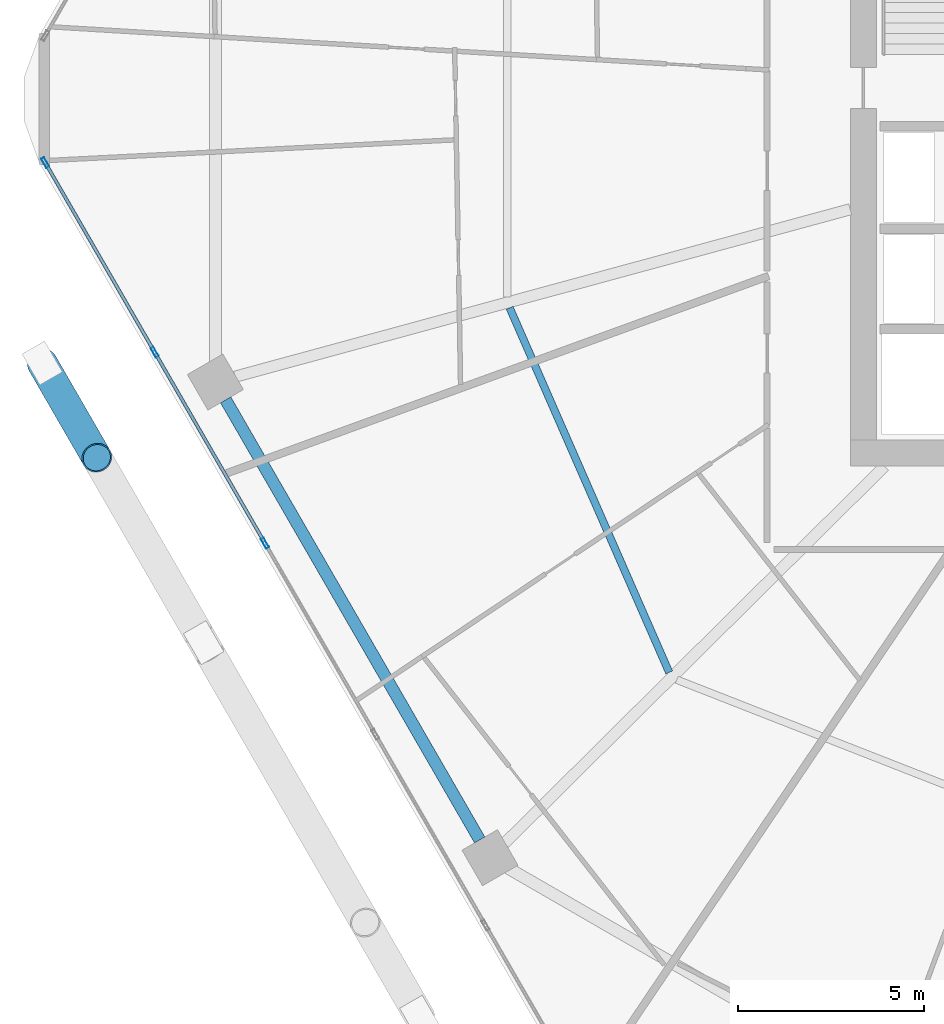
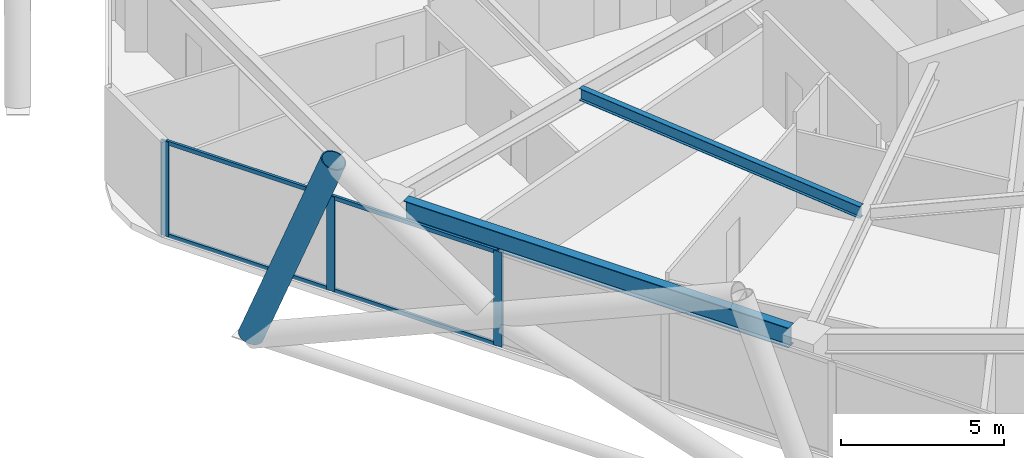
# One storey, part 6 of 35: 8 members, 2 beams, 1 element without a shape of its own.
"""IFC4 building model written with IfcOpenShell, lengths in metres."""

from ifc_helpers import new_model, si_unit, direction, frame, origin, origin_2d, place, context, subcontext, project, spatial, hollow_rectangle, hollow_circle, i_section, extrude, material, material_profile, profile_set, type_object, element, aggregate, save


model = new_model("IFC4")

# Units and contexts
model_context = context("Model", 3, precision=1e-05, world=origin(), true_north=direction((0.0, 1.0)))
body_context = subcontext(model_context, "Body", "Model", "MODEL_VIEW")
ifc_project = project(units=[si_unit("LENGTHUNIT", "METRE"), si_unit("AREAUNIT", "SQUARE_METRE"), si_unit("VOLUMEUNIT", "CUBIC_METRE"), si_unit("PLANEANGLEUNIT", "RADIAN"), si_unit("MASSUNIT", "GRAM", prefix="KILO")], contexts=[model_context])

# Site, building, storey
site_placement = place(None, origin())
site = spatial("IfcSite", under=ifc_project, at=site_placement, CompositionType="ELEMENT")
building_placement = place(site_placement, origin())
building = spatial("IfcBuilding", under=site, at=building_placement, Name="Zuhravey Tower", CompositionType="ELEMENT")
storey_placement = place(building_placement, frame((0.0, 0.0, 92.39990234375)))
storey = spatial("IfcBuildingStorey", under=building, at=storey_placement, Name="L22", CompositionType="ELEMENT", Elevation=92.39990234375)

# Curtain wall, members
ifc_material_1 = material(Name="Thermally broken anodised aluminium", Category="aluminium")
curtain_wall_type = type_object("IfcCurtainWallType", Name="Zone 1-2 Residential Curtain Wall CW3", PredefinedType="NOTDEFINED", material=ifc_material_1)
curtain_wall_placement = place(storey_placement, origin())
curtain_wall = element("IfcCurtainWall", 1, at=curtain_wall_placement, inside=storey, type_object=curtain_wall_type, Name="L22 CW3 CW-L22-F4-1", PredefinedType="NOTDEFINED")
ifc_material_2 = material(Name="Anodised aluminium", Category="aluminium")
ifc_material_profile_1 = material_profile(ifc_material_2, hollow_rectangle(XDim=0.090087890625, YDim=0.284912109375, WallThickness=0.0048828125, at=origin_2d()), Name="ALU-RHS-90x285x5")
ifc_profile_set_1 = profile_set([ifc_material_profile_1], Name="Anodised aluminium")
member_type_1 = type_object("IfcMemberType", Name="Curtain-Wall Mullion 90x180", PredefinedType="MULLION", material=ifc_profile_set_1)
member_1_placement = place(storey_placement, frame((9.44140625, 20.083984375, 0.0), z_axis=(0.0, 0.0, 1.0), x_axis=(-0.86602552265, -0.499999794119, 0.0)))
member_1 = element("IfcMember", 2, at=member_1_placement, type_object=member_type_1, Name="CW3 mullion 4", PredefinedType="MULLION", context=body_context, shape_type="SweptSolid", body=[
    extrude(hollow_rectangle(XDim=0.090087890625, YDim=0.284912109375, WallThickness=0.0048828125, at=origin_2d()), origin(), (0.0, 0.0, 1.0), 3.550048828125),
])
member_2_placement = place(storey_placement, frame((6.4814453125, 25.210693359375, 0.0), z_axis=(0.0, 0.0, 1.0), x_axis=(-0.86602552265, -0.499999794119, 0.0)))
member_2 = element("IfcMember", 3, at=member_2_placement, type_object=member_type_1, Name="CW3 mullion 5", PredefinedType="MULLION", context=body_context, shape_type="SweptSolid", body=[
    extrude(hollow_rectangle(XDim=0.090087890625, YDim=0.284912109375, WallThickness=0.0048828125, at=origin_2d()), origin(), (0.0, 0.0, 1.0), 3.550048828125),
])
member_3_placement = place(storey_placement, frame((3.5439453125, 30.298583984375, 0.0), z_axis=(0.0, 0.0, 1.0), x_axis=(-0.86602552265, -0.499999794119, 0.0)))
member_3 = element("IfcMember", 4, at=member_3_placement, type_object=member_type_1, Name="CW3 mullion 6", PredefinedType="MULLION", context=body_context, shape_type="SweptSolid", body=[
    extrude(hollow_rectangle(XDim=0.090087890625, YDim=0.284912109375, WallThickness=0.0048828125, at=origin_2d()), origin(), (0.0, 0.0, 1.0), 3.550048828125),
])
ifc_material_profile_2 = material_profile(ifc_material_2, hollow_rectangle(XDim=0.090087890625, YDim=0.14990234375, WallThickness=0.0048828125, at=origin_2d()), Name="ALU-RHS-90x150x5")
ifc_profile_set_2 = profile_set([ifc_material_profile_2], Name="Anodised aluminium")
member_type_2 = type_object("IfcMemberType", Name="Curtain-Wall Transom 90x150", PredefinedType="USERDEFINED", material=ifc_profile_set_2)
member_4_placement = place(storey_placement, frame((9.418701171875, 20.123046875, 0.045166015625), z_axis=(-0.499981042766, 0.866036348472, 0.0), x_axis=(-0.866036348472, -0.499981042766, 0.0)))
member_4 = element("IfcMember", 5, at=member_4_placement, type_object=member_type_2, Name="CW3 transom 4.1", ObjectType="TRANSOM", PredefinedType="USERDEFINED", context=body_context, shape_type="SweptSolid", body=[
    extrude(hollow_rectangle(XDim=0.090087890625, YDim=0.14990234375, WallThickness=0.0048828125, at=origin_2d()), origin(), (0.0, 0.0, 1.0), 5.829833984375),
])
member_5_placement = place(storey_placement, frame((9.418701171875, 20.123046875, 3.505126953125), z_axis=(-0.499981042766, 0.866036348472, 0.0), x_axis=(-0.866036348472, -0.499981042766, 0.0)))
member_5 = element("IfcMember", 6, at=member_5_placement, type_object=member_type_2, Name="CW3 transom 4.2", ObjectType="TRANSOM", PredefinedType="USERDEFINED", context=body_context, shape_type="SweptSolid", body=[
    extrude(hollow_rectangle(XDim=0.090087890625, YDim=0.14990234375, WallThickness=0.0048828125, at=origin_2d()), origin(), (0.0, 0.0, 1.0), 5.829833984375),
])
member_6_placement = place(storey_placement, frame((6.458984375, 25.249755859375, 0.045166015625), z_axis=(-0.500024450573, 0.866011286779, 0.0), x_axis=(-0.866011286779, -0.500024450573, 0.0)))
member_6 = element("IfcMember", 7, at=member_6_placement, type_object=member_type_2, Name="CW3 transom 5.1", ObjectType="TRANSOM", PredefinedType="USERDEFINED", context=body_context, shape_type="SweptSolid", body=[
    extrude(hollow_rectangle(XDim=0.090087890625, YDim=0.14990234375, WallThickness=0.0048828125, at=origin_2d()), origin(), (0.0, 0.0, 1.0), 5.784912109375),
])
member_7_placement = place(storey_placement, frame((6.458984375, 25.249755859375, 3.505126953125), z_axis=(-0.500024450573, 0.866011286779, 0.0), x_axis=(-0.866011286779, -0.500024450573, 0.0)))
member_7 = element("IfcMember", 8, at=member_7_placement, type_object=member_type_2, Name="CW3 transom 5.2", ObjectType="TRANSOM", PredefinedType="USERDEFINED", context=body_context, shape_type="SweptSolid", body=[
    extrude(hollow_rectangle(XDim=0.090087890625, YDim=0.14990234375, WallThickness=0.0048828125, at=origin_2d()), origin(), (0.0, 0.0, 1.0), 5.784912109375),
])
aggregate(curtain_wall, [member_1, member_2, member_3, member_4, member_5, member_6, member_7])

# Member
ifc_material_3 = material(Name="Steel SM460", Category="steel")
ifc_material_profile_3 = material_profile(ifc_material_3, hollow_circle(Radius=0.406494140625, WallThickness=0.035888671875, at=origin_2d()), Name="CHS-812.8x36")
ifc_profile_set_3 = profile_set([ifc_material_profile_3], Name="Steel SM460")
member_type_3 = type_object("IfcMemberType", Name="Exoskeleton Zone 1 Diagrid CHS813x36", PredefinedType="BRACE", material=ifc_profile_set_3)
member_8_placement = place(storey_placement, frame((3.466796875, 24.912109375, -0.44189453125), z_axis=(0.180574288521, -0.312728273078, 0.932520216158), x_axis=(0.866000778371, 0.500042650041, 0.0)))
element("IfcMember", 9, at=member_8_placement, inside=storey, type_object=member_type_3, Name="L22 Face 4 Diagrid Brace 1", PredefinedType="BRACE", context=body_context, shape_type="SweptSolid", body=[
    extrude(hollow_circle(Radius=0.406494140625, WallThickness=0.035888671875, at=origin_2d()), origin(), (0.0, 0.0, 1.0), 8.102783203125),
])

# Beams
ifc_material_4 = material(Name="Steel SM355", Category="steel")
ifc_material_profile_4 = material_profile(ifc_material_4, i_section(OverallWidth=0.320068359375, OverallDepth=0.75, WebThickness=0.013916015625, FlangeThickness=0.02490234375, at=origin_2d()), Name="H-750x320x14x25")
ifc_profile_set_4 = profile_set([ifc_material_profile_4], Name="Steel SM355")
beam_type_1 = type_object("IfcBeamType", Name="Perimeter Ring Beam H750x320", PredefinedType="BEAM", material=ifc_profile_set_4)
beam_1_placement = place(storey_placement, frame((8.387451171875, 23.929443359375, 3.175048828125), z_axis=(0.500008177929, -0.866020682204, 0.0), x_axis=(0.866020682204, 0.500008177929, 0.0)))
element("IfcBeam", 10, at=beam_1_placement, inside=storey, type_object=beam_type_1, Name="L22 PB1 BM-L22-PB-07", PredefinedType="BEAM", context=body_context, shape_type="SweptSolid", body=[
    extrude(i_section(OverallWidth=0.320068359375, OverallDepth=0.75, WebThickness=0.013916015625, FlangeThickness=0.02490234375, at=origin_2d()), origin(), (0.0, 0.0, 1.0), 13.634033203125),
])
ifc_material_profile_5 = material_profile(ifc_material_4, i_section(OverallWidth=0.199951171875, OverallDepth=0.449951171875, WebThickness=0.009033203125, FlangeThickness=0.013916015625, at=origin_2d()), Name="H-450x200x9x14")
ifc_profile_set_5 = profile_set([ifc_material_profile_5], Name="Steel SM355")
beam_type_2 = type_object("IfcBeamType", Name="Secondary Floor Joist H450x200", PredefinedType="JOIST", material=ifc_profile_set_5)
beam_2_placement = place(storey_placement, frame((16.00927734375, 26.400390625, 3.3251953125), z_axis=(0.400786454617, -0.916171500209, 0.0), x_axis=(0.916171500209, 0.400786454617, 0.0)))
element("IfcBeam", 11, at=beam_2_placement, inside=storey, type_object=beam_type_2, Name="L22 SJ1 BM-L22-SJ-07-1", PredefinedType="JOIST", context=body_context, shape_type="SweptSolid", body=[
    extrude(i_section(OverallWidth=0.199951171875, OverallDepth=0.449951171875, WebThickness=0.009033203125, FlangeThickness=0.013916015625, at=origin_2d()), origin(), (0.0, 0.0, 1.0), 10.6796875),
])

save(model, "model.ifc")
